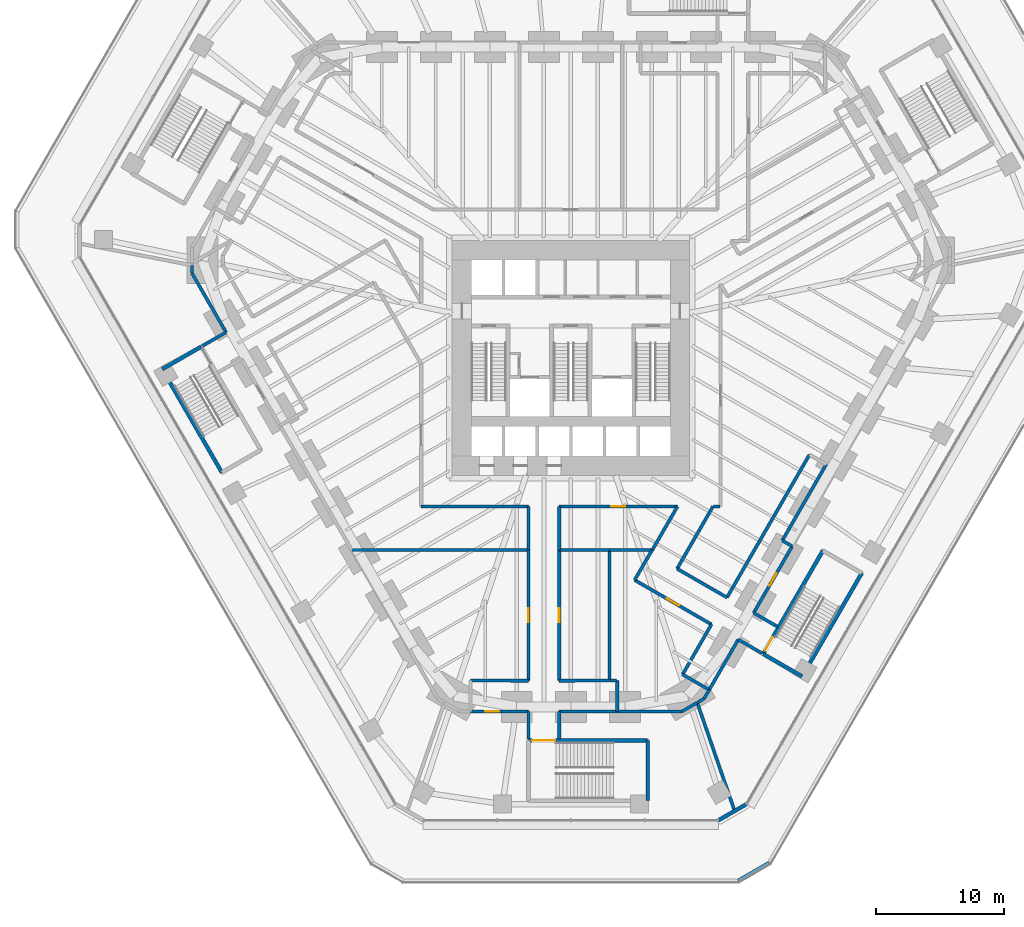
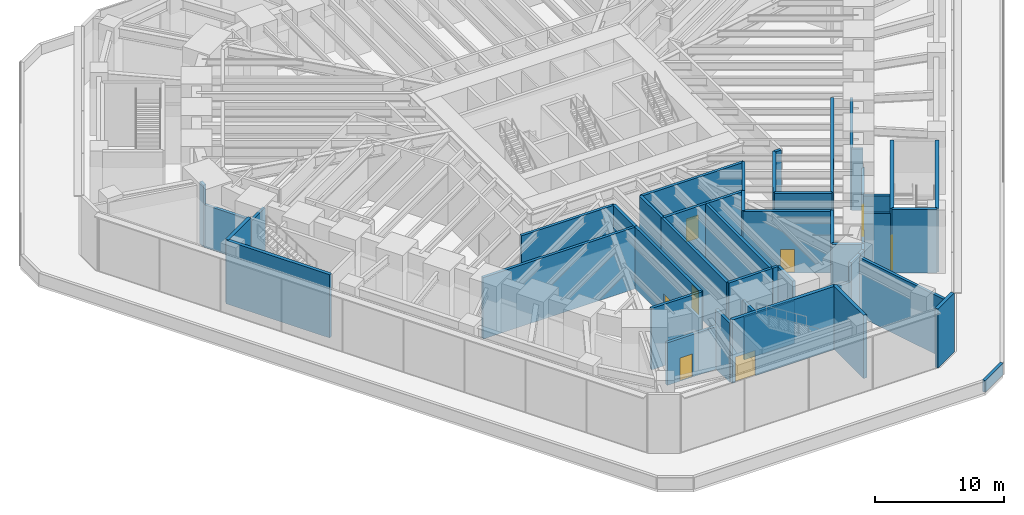
# One storey, part 14 of 24: 50 walls, 8 doors, 8 openings.
"""IFC4 building model written with IfcOpenShell, lengths in metres."""

from ifc_helpers import new_model, si_unit, direction, frame, frame_2d, origin, place, context, subcontext, project, spatial, rectangle, extrude, material, layer, layer_set, type_object, element, fill, save


model = new_model("IFC4")

# Units and contexts
model_context = context("Model", 3, precision=1e-05, world=origin(), true_north=direction((0.0, 1.0)))
body_context = subcontext(model_context, "Body", "Model", "MODEL_VIEW")
ifc_project = project(units=[si_unit("LENGTHUNIT", "METRE"), si_unit("AREAUNIT", "SQUARE_METRE"), si_unit("VOLUMEUNIT", "CUBIC_METRE"), si_unit("PLANEANGLEUNIT", "RADIAN"), si_unit("MASSUNIT", "GRAM", prefix="KILO")], contexts=[model_context])

# Site, building, storey
site_placement = place(None, origin())
site = spatial("IfcSite", under=ifc_project, at=site_placement, CompositionType="ELEMENT")
building_placement = place(site_placement, origin())
building = spatial("IfcBuilding", under=site, at=building_placement, Name="Sandreach Pilgrim Tower", CompositionType="ELEMENT")
storey_placement = place(building_placement, frame((0.0, 0.0, 12.0)))
storey = spatial("IfcBuildingStorey", under=building, at=storey_placement, Name="L02", CompositionType="ELEMENT", Elevation=12.0)

# Walls
ifc_material_1 = material(Name="Acoustic gypsum board wall, double frame", Category="gypsum")
ifc_layer_1 = layer(ifc_material_1, 0.25)
ifc_layer_set_1 = layer_set([ifc_layer_1], Name="Hall partition 250")
wall_type_1 = type_object("IfcWallType", Name="Hall partition 250", PredefinedType="PARTITIONING", material=ifc_layer_set_1)
wall_1_placement = place(storey_placement, frame((-29.5400390625, 5.06005859375, 0.0), z_axis=(0.0, 0.0, 1.0), x_axis=(0.499789957473, -0.866146637937, 0.0)))
element("IfcWall", 1, at=wall_1_placement, inside=storey, type_object=wall_type_1, Name="Hall partition L02-002", PredefinedType="PARTITIONING", context=body_context, shape_type="SweptSolid", body=[
    extrude(rectangle(XDim=5.322509765625, YDim=0.25, at=frame_2d((2.6611328125, 0.0))), origin(), (0.0, 0.0, 1.0), 4.0400390625),
])
wall_2_placement = place(storey_placement, frame((-29.5400390625, 5.64501953125, 0.0), z_axis=(0.0, 0.0, 1.0), x_axis=(0.0, -1.0, 0.0)))
element("IfcWall", 2, at=wall_2_placement, inside=storey, type_object=wall_type_1, Name="Hall partition L02-003", PredefinedType="PARTITIONING", context=body_context, shape_type="SweptSolid", body=[
    extrude(rectangle(XDim=0.5849609375, YDim=0.25, at=frame_2d((0.29248046875, 0.0))), origin(), (0.0, 0.0, 1.0), 5.840087890625),
])
wall_3_placement = place(storey_placement, frame((-26.8798828125, 0.449951171875, 0.0), z_axis=(0.0, 0.0, 1.0), x_axis=(-0.866853445344, -0.49856303944, 0.0)))
element("IfcWall", 3, at=wall_3_placement, inside=storey, type_object=wall_type_1, Name="Hall partition L02-010", PredefinedType="PARTITIONING", context=body_context, shape_type="SweptSolid", body=[
    extrude(rectangle(XDim=2.145751953125, YDim=0.25, at=frame_2d((1.07275390625, 0.0))), origin(), (0.0, 0.0, 1.0), 5.60009765625),
])
wall_4_placement = place(storey_placement, frame((-11.669921875, -13.1201171875, 0.0), z_axis=(0.0, 0.0, 1.0), x_axis=(1.0, 0.0, 0.0)))
element("IfcWall", 4, at=wall_4_placement, inside=storey, type_object=wall_type_1, Name="Hall partition L02-036", PredefinedType="PARTITIONING", context=body_context, shape_type="SweptSolid", body=[
    extrude(rectangle(XDim=8.35986328125, YDim=0.25, at=frame_2d((4.179931640625, 0.0))), origin(), (0.0, 0.0, 1.0), 5.840087890625),
])

# Wall, opening, door
wall_5_placement = place(storey_placement, frame((-7.830078125, -29.110107421875, 0.0), z_axis=(0.0, 0.0, 1.0), x_axis=(1.0, 0.0, 0.0)))
wall_5 = element("IfcWall", 5, at=wall_5_placement, inside=storey, type_object=wall_type_1, Name="Hall partition L02-045", PredefinedType="PARTITIONING", context=body_context, shape_type="SweptSolid", body=[
    extrude(rectangle(XDim=4.52001953125, YDim=0.25, at=frame_2d((2.260009765625, 0.0))), origin(), (0.0, 0.0, 1.0), 4.0400390625),
])
opening_1_placement = place(wall_5_placement, frame((1.159912109375, 0.0, 0.0)))
opening_1 = element("IfcOpeningElement", 6, at=opening_1_placement, cuts=wall_5, Name="Opening D11H-04", PredefinedType="OPENING", context=body_context, shape_type="SweptSolid", body=[
    extrude(rectangle(XDim=1.10009765625, YDim=2.199951171875, at=frame_2d((0.550048828125, 1.10009765625))), frame((0.0, 0.125, 0.0), z_axis=(0.0, -1.0, 0.0), x_axis=(1.0, 0.0, 0.0)), (0.0, 0.0, 1.0), 0.25),
])
ifc_material_2 = material(Name="Steel door and frame", Category="steel")
door_type_1 = type_object("IfcDoorType", Name="Back of house door", OperationType="SINGLE_SWING_LEFT", PredefinedType="DOOR", material=ifc_material_2)
door_1_placement = place(opening_1_placement, origin())
door_1 = element("IfcDoor", 7, at=door_1_placement, inside=storey, type_object=door_type_1, Name="Door 0204", OperationType="SINGLE_SWING_LEFT", OverallHeight=2.199951171875, OverallWidth=1.10009765625, PredefinedType="DOOR", context=body_context, shape_type="SweptSolid", body=[
    extrude(rectangle(XDim=1.10009765625, YDim=2.199951171875, at=frame_2d((0.550048828125, 1.10009765625))), frame((0.0, 0.02490234375, 0.0), z_axis=(0.0, -1.0, 0.0), x_axis=(1.0, 0.0, 0.0)), (0.0, 0.0, 1.0), 0.050048828125),
])
fill(opening_1, door_1)

# Walls
wall_6_placement = place(storey_placement, frame((-7.830078125, -26.68994140625, 0.0), z_axis=(0.0, 0.0, 1.0), x_axis=(0.999990191766, -0.004429037254, 0.0)))
element("IfcWall", 8, at=wall_6_placement, inside=storey, type_object=wall_type_1, Name="Hall partition L02-046", PredefinedType="PARTITIONING", context=body_context, shape_type="SweptSolid", body=[
    extrude(rectangle(XDim=4.52001953125, YDim=0.25, at=frame_2d((2.260009765625, 0.0))), origin(), (0.0, 0.0, 1.0), 5.840087890625),
])
wall_7_placement = place(storey_placement, frame((-3.330078125, -16.52001953125, 0.0), z_axis=(0.0, 0.0, 1.0), x_axis=(-1.0, 0.0, 0.0)))
element("IfcWall", 9, at=wall_7_placement, inside=storey, type_object=wall_type_1, Name="Hall partition L02-050", PredefinedType="PARTITIONING", context=body_context, shape_type="SweptSolid", body=[
    extrude(rectangle(XDim=13.75, YDim=0.25, at=frame_2d((6.875, 0.0))), origin(), (0.0, 0.0, 1.0), 5.840087890625),
])
wall_8_placement = place(storey_placement, frame((-3.31005859375, -29.110107421875, 0.0), z_axis=(0.0, 0.0, 1.0), x_axis=(0.0, -1.0, 0.0)))
element("IfcWall", 10, at=wall_8_placement, inside=storey, type_object=wall_type_1, Name="Hall partition L02-051", PredefinedType="PARTITIONING", context=body_context, shape_type="SweptSolid", body=[
    extrude(rectangle(XDim=2.14990234375, YDim=0.25, at=frame_2d((1.074951171875, 0.0))), origin(), (0.0, 0.0, 1.0), 5.60009765625),
])

# Wall, opening, door
wall_9_placement = place(storey_placement, frame((-3.31005859375, -16.52001953125, 0.0), z_axis=(0.0, 0.0, 1.0), x_axis=(0.0, -1.0, 0.0)))
wall_9 = element("IfcWall", 11, at=wall_9_placement, inside=storey, type_object=wall_type_1, Name="Hall partition L02-052", PredefinedType="PARTITIONING", context=body_context, shape_type="SweptSolid", body=[
    extrude(rectangle(XDim=10.18994140625, YDim=0.25, at=frame_2d((5.094970703125, 0.0))), origin(), (0.0, 0.0, 1.0), 5.840087890625),
])
opening_2_placement = place(wall_9_placement, frame((4.544921875, 0.0, 0.0)))
opening_2 = element("IfcOpeningElement", 12, at=opening_2_placement, cuts=wall_9, Name="Opening D11H-T1", PredefinedType="OPENING", context=body_context, shape_type="SweptSolid", body=[
    extrude(rectangle(XDim=1.10009765625, YDim=2.199951171875, at=frame_2d((0.550048828125, 1.10009765625))), frame((0.0, 0.125, 0.0), z_axis=(0.0, -1.0, 0.0), x_axis=(1.0, 0.0, 0.0)), (0.0, 0.0, 1.0), 0.25),
])
door_2_placement = place(opening_2_placement, origin())
door_2 = element("IfcDoor", 13, at=door_2_placement, inside=storey, type_object=door_type_1, Name="Door 02T1", OperationType="SINGLE_SWING_LEFT", OverallHeight=2.199951171875, OverallWidth=1.10009765625, PredefinedType="DOOR", context=body_context, shape_type="SweptSolid", body=[
    extrude(rectangle(XDim=1.10009765625, YDim=2.199951171875, at=frame_2d((0.550048828125, 1.10009765625))), frame((0.0, 0.02490234375, 0.0), z_axis=(0.0, -1.0, 0.0), x_axis=(1.0, 0.0, 0.0)), (0.0, 0.0, 1.0), 0.050048828125),
])
fill(opening_2, door_2)

# Walls
wall_10_placement = place(storey_placement, frame((-3.31005859375, -13.1201171875, 0.0), z_axis=(0.0, 0.0, 1.0), x_axis=(0.0, -1.0, 0.0)))
element("IfcWall", 14, at=wall_10_placement, inside=storey, type_object=wall_type_1, Name="Hall partition L02-053", PredefinedType="PARTITIONING", context=body_context, shape_type="SweptSolid", body=[
    extrude(rectangle(XDim=3.39990234375, YDim=0.25, at=frame_2d((1.699951171875, 0.0))), origin(), (0.0, 0.0, 1.0), 5.840087890625),
])
wall_11_placement = place(storey_placement, frame((-0.909912109375, -31.260009765625, 0.0), z_axis=(0.0, 0.0, 1.0), x_axis=(0.0, 1.0, 0.0)))
element("IfcWall", 15, at=wall_11_placement, inside=storey, type_object=wall_type_1, Name="Hall partition L02-054", PredefinedType="PARTITIONING", context=body_context, shape_type="SweptSolid", body=[
    extrude(rectangle(XDim=2.14990234375, YDim=0.25, at=frame_2d((1.074951171875, 0.0))), origin(), (0.0, 0.0, 1.0), 5.60009765625),
])
wall_12_placement = place(storey_placement, frame((-0.909912109375, -29.110107421875, 0.0), z_axis=(0.0, 0.0, 1.0), x_axis=(1.0, 0.0, 0.0)))
element("IfcWall", 16, at=wall_12_placement, inside=storey, type_object=wall_type_1, Name="Hall partition L02-055", PredefinedType="PARTITIONING", context=body_context, shape_type="SweptSolid", body=[
    extrude(rectangle(XDim=4.52001953125, YDim=0.25, at=frame_2d((2.260009765625, 0.0))), origin(), (0.0, 0.0, 1.0), 4.0400390625),
])

# Wall, opening, door
wall_13_placement = place(storey_placement, frame((-0.909912109375, -26.7099609375, 0.0), z_axis=(0.0, 0.0, 1.0), x_axis=(0.0, 1.0, 0.0)))
wall_13 = element("IfcWall", 17, at=wall_13_placement, inside=storey, type_object=wall_type_1, Name="Hall partition L02-056", PredefinedType="PARTITIONING", context=body_context, shape_type="SweptSolid", body=[
    extrude(rectangle(XDim=10.18994140625, YDim=0.25, at=frame_2d((5.094970703125, 0.0))), origin(), (0.0, 0.0, 1.0), 5.840087890625),
])
opening_3_placement = place(wall_13_placement, frame((4.544921875, 0.0, 0.0)))
opening_3 = element("IfcOpeningElement", 18, at=opening_3_placement, cuts=wall_13, Name="Opening D11H-T2", PredefinedType="OPENING", context=body_context, shape_type="SweptSolid", body=[
    extrude(rectangle(XDim=1.10009765625, YDim=2.199951171875, at=frame_2d((0.550048828125, 1.10009765625))), frame((0.0, 0.125, 0.0), z_axis=(0.0, -1.0, 0.0), x_axis=(1.0, 0.0, 0.0)), (0.0, 0.0, 1.0), 0.25),
])
door_3_placement = place(opening_3_placement, origin())
door_3 = element("IfcDoor", 19, at=door_3_placement, inside=storey, type_object=door_type_1, Name="Door 02T2", OperationType="SINGLE_SWING_LEFT", OverallHeight=2.199951171875, OverallWidth=1.10009765625, PredefinedType="DOOR", context=body_context, shape_type="SweptSolid", body=[
    extrude(rectangle(XDim=1.10009765625, YDim=2.199951171875, at=frame_2d((0.550048828125, 1.10009765625))), frame((0.0, 0.02490234375, 0.0), z_axis=(0.0, -1.0, 0.0), x_axis=(1.0, 0.0, 0.0)), (0.0, 0.0, 1.0), 0.050048828125),
])
fill(opening_3, door_3)

# Walls
wall_14_placement = place(storey_placement, frame((-0.909912109375, -26.7099609375, 0.0), z_axis=(0.0, 0.0, 1.0), x_axis=(0.999986892035, 0.005120132697, 0.0)))
element("IfcWall", 20, at=wall_14_placement, inside=storey, type_object=wall_type_1, Name="Hall partition L02-057", PredefinedType="PARTITIONING", context=body_context, shape_type="SweptSolid", body=[
    extrude(rectangle(XDim=3.909912109375, YDim=0.25, at=frame_2d((1.955078125, 0.0))), origin(), (0.0, 0.0, 1.0), 5.840087890625),
])
wall_15_placement = place(storey_placement, frame((-0.909912109375, -16.52001953125, 0.0), z_axis=(0.0, 0.0, 1.0), x_axis=(0.0, 1.0, 0.0)))
element("IfcWall", 21, at=wall_15_placement, inside=storey, type_object=wall_type_1, Name="Hall partition L02-058", PredefinedType="PARTITIONING", context=body_context, shape_type="SweptSolid", body=[
    extrude(rectangle(XDim=3.39990234375, YDim=0.25, at=frame_2d((1.699951171875, 0.0))), origin(), (0.0, 0.0, 1.0), 5.840087890625),
])

# Wall, opening, door
wall_16_placement = place(storey_placement, frame((-0.909912109375, -13.1201171875, 0.0), z_axis=(0.0, 0.0, 1.0), x_axis=(1.0, 0.0, 0.0)))
wall_16 = element("IfcWall", 22, at=wall_16_placement, inside=storey, type_object=wall_type_1, Name="Hall partition L02-059", PredefinedType="PARTITIONING", context=body_context, shape_type="SweptSolid", body=[
    extrude(rectangle(XDim=9.219970703125, YDim=0.25, at=frame_2d((4.60986328125, 0.0))), origin(), (0.0, 0.0, 1.0), 5.840087890625),
])
opening_4_placement = place(wall_16_placement, frame((4.06005859375, 0.0, 0.0)))
opening_4 = element("IfcOpeningElement", 23, at=opening_4_placement, cuts=wall_16, Name="Opening D11H-B5", PredefinedType="OPENING", context=body_context, shape_type="SweptSolid", body=[
    extrude(rectangle(XDim=1.10009765625, YDim=2.199951171875, at=frame_2d((0.550048828125, 1.10009765625))), frame((0.0, 0.125, 0.0), z_axis=(0.0, -1.0, 0.0), x_axis=(1.0, 0.0, 0.0)), (0.0, 0.0, 1.0), 0.25),
])
door_4_placement = place(opening_4_placement, origin())
door_4 = element("IfcDoor", 24, at=door_4_placement, inside=storey, type_object=door_type_1, Name="Door 02B5", OperationType="SINGLE_SWING_LEFT", OverallHeight=2.199951171875, OverallWidth=1.10009765625, PredefinedType="DOOR", context=body_context, shape_type="SweptSolid", body=[
    extrude(rectangle(XDim=1.10009765625, YDim=2.199951171875, at=frame_2d((0.550048828125, 1.10009765625))), frame((0.0, 0.02490234375, 0.0), z_axis=(0.0, -1.0, 0.0), x_axis=(1.0, 0.0, 0.0)), (0.0, 0.0, 1.0), 0.050048828125),
])
fill(opening_4, door_4)

# Walls
wall_17_placement = place(storey_placement, frame((3.0, -16.52001953125, 0.0), z_axis=(0.0, 0.0, 1.0), x_axis=(-1.0, 0.0, 0.0)))
element("IfcWall", 25, at=wall_17_placement, inside=storey, type_object=wall_type_1, Name="Hall partition L02-060", PredefinedType="PARTITIONING", context=body_context, shape_type="SweptSolid", body=[
    extrude(rectangle(XDim=3.889892578125, YDim=0.25, at=frame_2d((1.94482421875, 0.0))), origin(), (0.0, 0.0, 1.0), 5.840087890625),
])
wall_18_placement = place(storey_placement, frame((3.0, -16.52001953125, 0.0), z_axis=(0.0, 0.0, 1.0), x_axis=(0.0, -1.0, 0.0)))
element("IfcWall", 26, at=wall_18_placement, inside=storey, type_object=wall_type_1, Name="Hall partition L02-061", PredefinedType="PARTITIONING", context=body_context, shape_type="SweptSolid", body=[
    extrude(rectangle(XDim=10.169921875, YDim=0.25, at=frame_2d((5.0849609375, 0.0))), origin(), (0.0, 0.0, 1.0), 5.840087890625),
])
wall_19_placement = place(storey_placement, frame((3.034912109375, -26.68994140625, 0.0), z_axis=(0.0, 0.0, 1.0), x_axis=(1.0, 0.0, 0.0)))
element("IfcWall", 27, at=wall_19_placement, inside=storey, type_object=wall_type_1, Name="Hall partition L02-062", PredefinedType="PARTITIONING", context=body_context, shape_type="SweptSolid", body=[
    extrude(rectangle(XDim=0.53515625, YDim=0.25, at=frame_2d((0.267578125, 0.0))), origin(), (0.0, 0.0, 1.0), 5.840087890625),
])
wall_20_placement = place(storey_placement, frame((3.610107421875, -29.110107421875, 0.0), z_axis=(0.0, 0.0, 1.0), x_axis=(1.0, 0.0, 0.0)))
element("IfcWall", 28, at=wall_20_placement, inside=storey, type_object=wall_type_1, Name="Hall partition L02-063", PredefinedType="PARTITIONING", context=body_context, shape_type="SweptSolid", body=[
    extrude(rectangle(XDim=5.039794921875, YDim=0.25, at=frame_2d((2.52001953125, 0.0))), origin(), (0.0, 0.0, 1.0), 4.0400390625),
])
wall_21_placement = place(storey_placement, frame((3.610107421875, -26.7099609375, 0.0), z_axis=(0.0, 0.0, 1.0), x_axis=(0.0, -1.0, 0.0)))
element("IfcWall", 29, at=wall_21_placement, inside=storey, type_object=wall_type_1, Name="Hall partition L02-064", PredefinedType="PARTITIONING", context=body_context, shape_type="SweptSolid", body=[
    extrude(rectangle(XDim=2.400146484375, YDim=0.25, at=frame_2d((1.2001953125, 0.0))), origin(), (0.0, 0.0, 1.0), 5.840087890625),
])
wall_22_placement = place(storey_placement, frame((4.969970703125, -18.860107421875, 0.0), z_axis=(0.0, 0.0, 1.0), x_axis=(0.502507574725, 0.864572806271, 0.0)))
element("IfcWall", 30, at=wall_22_placement, inside=storey, type_object=wall_type_1, Name="Hall partition L02-068", PredefinedType="PARTITIONING", context=body_context, shape_type="SweptSolid", body=[
    extrude(rectangle(XDim=2.70654296875, YDim=0.25, at=frame_2d((1.353271484375, 0.0))), origin(), (0.0, 0.0, 1.0), 5.840087890625),
])
wall_23_placement = place(storey_placement, frame((6.330078125, -16.52001953125, 0.0), z_axis=(0.0, 0.0, 1.0), x_axis=(-1.0, 0.0, 0.0)))
element("IfcWall", 31, at=wall_23_placement, inside=storey, type_object=wall_type_1, Name="Hall partition L02-072", PredefinedType="PARTITIONING", context=body_context, shape_type="SweptSolid", body=[
    extrude(rectangle(XDim=3.330078125, YDim=0.25, at=frame_2d((1.6650390625, 0.0))), origin(), (0.0, 0.0, 1.0), 5.840087890625),
])
wall_24_placement = place(storey_placement, frame((8.280029296875, -17.97998046875, 0.0), z_axis=(0.0, 0.0, 1.0), x_axis=(0.499206132958, 0.866483258244, 0.0)))
element("IfcWall", 32, at=wall_24_placement, inside=storey, type_object=wall_type_1, Name="Hall partition L02-073", PredefinedType="PARTITIONING", context=body_context, shape_type="SweptSolid", body=[
    extrude(rectangle(XDim=5.60888671875, YDim=0.25, at=frame_2d((2.804443359375, 0.0))), origin(), (0.0, 0.0, 1.0), 5.840087890625),
])
wall_25_placement = place(storey_placement, frame((8.31005859375, -13.1201171875, 0.0), z_axis=(0.0, 0.0, 1.0), x_axis=(-0.499589939021, -0.866262023194, 0.0)))
element("IfcWall", 33, at=wall_25_placement, inside=storey, type_object=wall_type_1, Name="Hall partition L02-074", PredefinedType="PARTITIONING", context=body_context, shape_type="SweptSolid", body=[
    extrude(rectangle(XDim=3.934326171875, YDim=0.25, at=frame_2d((1.96728515625, 0.0))), origin(), (0.0, 0.0, 1.0), 5.840087890625),
])
wall_26_placement = place(storey_placement, frame((8.64990234375, -29.110107421875, 0.0), z_axis=(0.0, 0.0, 1.0), x_axis=(0.865736025111, 0.500500883941, 0.0)))
element("IfcWall", 34, at=wall_26_placement, inside=storey, type_object=wall_type_1, Name="Hall partition L02-075", PredefinedType="PARTITIONING", context=body_context, shape_type="SweptSolid", body=[
    extrude(rectangle(XDim=1.38427734375, YDim=0.25, at=frame_2d((0.692138671875, 0.0))), origin(), (0.0, 0.0, 1.0), 5.840087890625),
])
wall_27_placement = place(storey_placement, frame((8.68994140625, -26.2099609375, 0.0), z_axis=(0.0, 0.0, 1.0), x_axis=(0.865442434468, -0.5010083758, 0.0)))
element("IfcWall", 35, at=wall_27_placement, inside=storey, type_object=wall_type_1, Name="Hall partition L02-076", PredefinedType="PARTITIONING", context=body_context, shape_type="SweptSolid", body=[
    extrude(rectangle(XDim=2.4150390625, YDim=0.25, at=frame_2d((1.20751953125, 0.0))), origin(), (0.0, 0.0, 1.0), 5.840087890625),
])
wall_28_placement = place(storey_placement, frame((10.3798828125, -28.110107421875, 0.0), z_axis=(0.0, 0.0, 1.0), x_axis=(-0.865714845822, -0.5005375168, 0.0)))
element("IfcWall", 36, at=wall_28_placement, inside=storey, type_object=wall_type_1, Name="Hall partition L02-077", PredefinedType="PARTITIONING", context=body_context, shape_type="SweptSolid", body=[
    extrude(rectangle(XDim=0.578857421875, YDim=0.25, at=frame_2d((0.28955078125, 0.0))), origin(), (0.0, 0.0, 1.0), 5.840087890625),
])
wall_29_placement = place(storey_placement, frame((10.780029296875, -27.419921875, 0.0), z_axis=(0.0, 0.0, 1.0), x_axis=(0.501133997532, 0.86536969933, 0.0)))
element("IfcWall", 37, at=wall_29_placement, inside=storey, type_object=wall_type_1, Name="Hall partition L02-078", PredefinedType="PARTITIONING", context=body_context, shape_type="SweptSolid", body=[
    extrude(rectangle(XDim=4.52978515625, YDim=0.25, at=frame_2d((2.264892578125, 0.0))), origin(), (0.0, 0.0, 1.0), 4.0400390625),
])
wall_30_placement = place(storey_placement, frame((10.7900390625, -27.419921875, 0.0), z_axis=(0.0, 0.0, 1.0), x_axis=(-0.510777713782, -0.859712816645, 0.0)))
element("IfcWall", 38, at=wall_30_placement, inside=storey, type_object=wall_type_1, Name="Hall partition L02-079", PredefinedType="PARTITIONING", context=body_context, shape_type="SweptSolid", body=[
    extrude(rectangle(XDim=0.802490234375, YDim=0.25, at=frame_2d((0.4013671875, 0.0))), origin(), (0.0, 0.0, 1.0), 5.840087890625),
])

# Wall, opening, door
wall_31_placement = place(storey_placement, frame((10.93994140625, -22.31005859375, 0.0), z_axis=(0.0, 0.0, 1.0), x_axis=(-0.865825192556, 0.500346615794, 0.0)))
wall_31 = element("IfcWall", 39, at=wall_31_placement, inside=storey, type_object=wall_type_1, Name="Hall partition L02-080", PredefinedType="PARTITIONING", context=body_context, shape_type="SweptSolid", body=[
    extrude(rectangle(XDim=6.89501953125, YDim=0.25, at=frame_2d((3.447509765625, 0.0))), origin(), (0.0, 0.0, 1.0), 5.840087890625),
])
opening_5_placement = place(wall_31_placement, frame((2.897705078125, 0.0, 0.0)))
opening_5 = element("IfcOpeningElement", 40, at=opening_5_placement, cuts=wall_31, Name="Opening D11H-T3", PredefinedType="OPENING", context=body_context, shape_type="SweptSolid", body=[
    extrude(rectangle(XDim=1.10009765625, YDim=2.199951171875, at=frame_2d((0.550048828125, 1.10009765625))), frame((0.0, 0.125, 0.0), z_axis=(0.0, -1.0, 0.0), x_axis=(1.0, 0.0, 0.0)), (0.0, 0.0, 1.0), 0.25),
])
door_5_placement = place(opening_5_placement, origin())
door_5 = element("IfcDoor", 41, at=door_5_placement, inside=storey, type_object=door_type_1, Name="Door 02T3", OperationType="SINGLE_SWING_LEFT", OverallHeight=2.199951171875, OverallWidth=1.10009765625, PredefinedType="DOOR", context=body_context, shape_type="SweptSolid", body=[
    extrude(rectangle(XDim=1.10009765625, YDim=2.199951171875, at=frame_2d((0.550048828125, 1.10009765625))), frame((0.0, 0.02490234375, 0.0), z_axis=(0.0, -1.0, 0.0), x_axis=(1.0, 0.0, 0.0)), (0.0, 0.0, 1.0), 0.050048828125),
])
fill(opening_5, door_5)

# Walls
wall_32_placement = place(storey_placement, frame((10.969970703125, -22.300048828125, 0.0), z_axis=(0.0, 0.0, 1.0), x_axis=(-0.499476424687, -0.86632747918, 0.0)))
element("IfcWall", 42, at=wall_32_placement, inside=storey, type_object=wall_type_1, Name="Hall partition L02-081", PredefinedType="PARTITIONING", context=body_context, shape_type="SweptSolid", body=[
    extrude(rectangle(XDim=4.524658203125, YDim=0.25, at=frame_2d((2.26220703125, 0.0))), origin(), (0.0, 0.0, 1.0), 5.840087890625),
])
wall_33_placement = place(storey_placement, frame((11.10009765625, -13.1201171875, 0.0), z_axis=(0.0, 0.0, 1.0), x_axis=(1.0, 0.0, 0.0)))
element("IfcWall", 43, at=wall_33_placement, inside=storey, type_object=wall_type_1, Name="Hall partition L02-082", PredefinedType="PARTITIONING", context=body_context, shape_type="SweptSolid", body=[
    extrude(rectangle(XDim=0.534912109375, YDim=0.25, at=frame_2d((0.267578125, 0.0))), origin(), (0.0, 0.0, 1.0), 5.840087890625),
])
wall_34_placement = place(storey_placement, frame((12.169921875, -20.219970703125, 0.0), z_axis=(0.0, 0.0, 1.0), x_axis=(-0.866588245704, 0.499023859558, 0.0)))
element("IfcWall", 44, at=wall_34_placement, inside=storey, type_object=wall_type_1, Name="Hall partition L02-089", PredefinedType="PARTITIONING", context=body_context, shape_type="SweptSolid", body=[
    extrude(rectangle(XDim=4.48876953125, YDim=0.25, at=frame_2d((2.244384765625, 0.0))), origin(), (0.0, 0.0, 1.0), 5.840087890625),
])
wall_35_placement = place(storey_placement, frame((12.770263671875, -36.881591796875, 0.0), z_axis=(0.0, 0.0, 1.0), x_axis=(-0.32622518394, 0.945292086798, 0.0)))
element("IfcWall", 45, at=wall_35_placement, inside=storey, type_object=wall_type_1, Name="Hall partition L02-092", PredefinedType="PARTITIONING", context=body_context, shape_type="SweptSolid", body=[
    extrude(rectangle(XDim=8.951416015625, YDim=0.25, at=frame_2d((4.4755859375, 0.0))), origin(), (0.0, 0.0, 1.0), 5.60009765625),
])
wall_36_placement = place(storey_placement, frame((13.050048828125, -23.5, 0.0), z_axis=(0.0, 0.0, 1.0), x_axis=(0.864757143013, -0.502190286255, 0.0)))
element("IfcWall", 46, at=wall_36_placement, inside=storey, type_object=wall_type_1, Name="Hall partition L02-093", PredefinedType="PARTITIONING", context=body_context, shape_type="SweptSolid", body=[
    extrude(rectangle(XDim=2.150634765625, YDim=0.25, at=frame_2d((1.0751953125, 0.0))), origin(), (0.0, 0.0, 1.0), 5.60009765625),
])

# Wall, opening, door
wall_37_placement = place(storey_placement, frame((14.25, -21.419921875, 0.0), z_axis=(0.0, 0.0, 1.0), x_axis=(0.50044857655, 0.865766263046, 0.0)))
wall_37 = element("IfcWall", 47, at=wall_37_placement, inside=storey, type_object=wall_type_1, Name="Hall partition L02-099", PredefinedType="PARTITIONING", context=body_context, shape_type="SweptSolid", body=[
    extrude(rectangle(XDim=5.99462890625, YDim=0.25, at=frame_2d((2.997314453125, 0.0))), origin(), (0.0, 0.0, 1.0), 4.0400390625),
])
opening_6_placement = place(wall_37_placement, frame((2.447509765625, 0.0, 0.0)))
opening_6 = element("IfcOpeningElement", 48, at=opening_6_placement, cuts=wall_37, Name="Opening D11H-03", PredefinedType="OPENING", context=body_context, shape_type="SweptSolid", body=[
    extrude(rectangle(XDim=1.10009765625, YDim=2.199951171875, at=frame_2d((0.550048828125, 1.10009765625))), frame((0.0, 0.125, 0.0), z_axis=(0.0, -1.0, 0.0), x_axis=(1.0, 0.0, 0.0)), (0.0, 0.0, 1.0), 0.25),
])
door_6_placement = place(opening_6_placement, origin())
door_6 = element("IfcDoor", 49, at=door_6_placement, inside=storey, type_object=door_type_1, Name="Door 0203", OperationType="SINGLE_SWING_LEFT", OverallHeight=2.199951171875, OverallWidth=1.10009765625, PredefinedType="DOOR", context=body_context, shape_type="SweptSolid", body=[
    extrude(rectangle(XDim=1.10009765625, YDim=2.199951171875, at=frame_2d((0.550048828125, 1.10009765625))), frame((0.0, 0.02490234375, 0.0), z_axis=(0.0, -1.0, 0.0), x_axis=(1.0, 0.0, 0.0)), (0.0, 0.0, 1.0), 0.050048828125),
])
fill(opening_6, door_6)

# Walls
wall_38_placement = place(storey_placement, frame((16.110107421875, -22.5, 0.0), z_axis=(0.0, 0.0, 1.0), x_axis=(-0.864785766719, 0.502140993826, 0.0)))
element("IfcWall", 50, at=wall_38_placement, inside=storey, type_object=wall_type_1, Name="Hall partition L02-100", PredefinedType="PARTITIONING", context=body_context, shape_type="SweptSolid", body=[
    extrude(rectangle(XDim=2.15087890625, YDim=0.25, at=frame_2d((1.075439453125, 0.0))), origin(), (0.0, 0.0, 1.0), 5.60009765625),
])
wall_39_placement = place(storey_placement, frame((16.47998046875, -15.780029296875, 0.0), z_axis=(0.0, 0.0, 1.0), x_axis=(0.500055203419, 0.86599352973, 0.0)))
element("IfcWall", 51, at=wall_39_placement, inside=storey, type_object=wall_type_1, Name="Hall partition L02-101", PredefinedType="PARTITIONING", context=body_context, shape_type="SweptSolid", body=[
    extrude(rectangle(XDim=6.859130859375, YDim=0.25, at=frame_2d((3.4296875, 0.0))), origin(), (0.0, 0.0, 1.0), 5.840087890625),
])
wall_40_placement = place(storey_placement, frame((17.25, -16.22998046875, 0.0), z_axis=(0.0, 0.0, 1.0), x_axis=(-0.863401368682, 0.504517667242, 0.0)))
element("IfcWall", 52, at=wall_40_placement, inside=storey, type_object=wall_type_1, Name="Hall partition L02-102", PredefinedType="PARTITIONING", context=body_context, shape_type="SweptSolid", body=[
    extrude(rectangle(XDim=0.891845703125, YDim=0.25, at=frame_2d((0.44580078125, 0.0))), origin(), (0.0, 0.0, 1.0), 5.840087890625),
])
wall_41_placement = place(storey_placement, frame((18.60009765625, -9.090087890625, 0.0), z_axis=(0.0, 0.0, 1.0), x_axis=(-0.500252915159, -0.8658793339, 0.0)))
element("IfcWall", 53, at=wall_41_placement, inside=storey, type_object=wall_type_1, Name="Hall partition L02-105", PredefinedType="PARTITIONING", context=body_context, shape_type="SweptSolid", body=[
    extrude(rectangle(XDim=12.853759765625, YDim=0.25, at=frame_2d((6.4267578125, 0.0))), origin(), (0.0, 0.0, 1.0), 5.840087890625),
])

# Wall, opening, door
ifc_material_3 = material(Name="Concrete 8000 psi", Category="concrete")
ifc_layer_2 = layer(ifc_material_3, 0.300048828125)
ifc_layer_set_2 = layer_set([ifc_layer_2], Name="Podium stair enclosure 300")
wall_type_2 = type_object("IfcWallType", Name="Podium stair enclosure 300", PredefinedType="SHEAR", material=ifc_layer_set_2)
wall_42_placement = place(storey_placement, frame((-3.311279296875, -31.36083984375, 0.0), z_axis=(0.0, 0.0, 1.0), x_axis=(1.0, 0.0, 0.0)))
wall_42 = element("IfcWall", 54, at=wall_42_placement, inside=storey, type_object=wall_type_2, Name="Stair ST5 enclosure L02 1", PredefinedType="SHEAR", context=body_context, shape_type="SweptSolid", body=[
    extrude(rectangle(XDim=9.300048828125, YDim=0.300048828125, at=frame_2d((4.64990234375, 0.0))), origin(), (0.0, 0.0, 1.0), 6.0),
])
opening_7_placement = place(wall_42_placement, frame((0.300048828125, 0.0, 0.0)))
opening_7 = element("IfcOpeningElement", 55, at=opening_7_placement, cuts=wall_42, Name="Opening D18S-ST5", PredefinedType="OPENING", context=body_context, shape_type="SweptSolid", body=[
    extrude(rectangle(XDim=1.800048828125, YDim=2.39990234375, at=frame_2d((0.89990234375, 1.199951171875))), frame((0.0, 0.14990234375, 0.0), z_axis=(0.0, -1.0, 0.0), x_axis=(1.0, 0.0, 0.0)), (0.0, 0.0, 1.0), 0.300048828125),
])
ifc_material_4 = material(Name="Steel door and frame", Category="steel")
door_type_2 = type_object("IfcDoorType", Name="Podium stair door", OperationType="DOUBLE_DOOR_SINGLE_SWING", PredefinedType="DOOR", material=ifc_material_4)
door_7_placement = place(opening_7_placement, origin())
door_7 = element("IfcDoor", 56, at=door_7_placement, inside=storey, type_object=door_type_2, Name="Stair door ST5 L02", OperationType="DOUBLE_DOOR_SINGLE_SWING", OverallHeight=2.39990234375, OverallWidth=1.800048828125, PredefinedType="DOOR", context=body_context, shape_type="SweptSolid", body=[
    extrude(rectangle(XDim=1.800048828125, YDim=2.39990234375, at=frame_2d((0.89990234375, 1.199951171875))), frame((0.0, 0.02490234375, 0.0), z_axis=(0.0, -1.0, 0.0), x_axis=(1.0, 0.0, 0.0)), (0.0, 0.0, 1.0), 0.050048828125),
])
fill(opening_7, door_7)

# Wall
wall_43_placement = place(storey_placement, frame((5.98876953125, -31.36083984375, 0.0), z_axis=(0.0, 0.0, 1.0), x_axis=(0.0, -1.0, 0.0)))
element("IfcWall", 57, at=wall_43_placement, inside=storey, type_object=wall_type_2, Name="Stair ST5 enclosure L02 2", PredefinedType="SHEAR", context=body_context, shape_type="SweptSolid", body=[
    extrude(rectangle(XDim=4.699951171875, YDim=0.300048828125, at=frame_2d((2.35009765625, 0.0))), origin(), (0.0, 0.0, 1.0), 6.0),
])

# Wall, opening, door
wall_44_placement = place(storey_placement, frame((14.994384765625, -24.626220703125, 0.0), z_axis=(0.0, 0.0, 1.0), x_axis=(0.500015592816, 0.866016401081, 0.0)))
wall_44 = element("IfcWall", 58, at=wall_44_placement, inside=storey, type_object=wall_type_2, Name="Stair ST8 enclosure L02 1", PredefinedType="SHEAR", context=body_context, shape_type="SweptSolid", body=[
    extrude(rectangle(XDim=9.300048828125, YDim=0.300048828125, at=frame_2d((4.64990234375, 0.0))), origin(), (0.0, 0.0, 1.0), 6.0),
])
opening_8_placement = place(wall_44_placement, frame((0.300048828125, 0.0, 0.0)))
opening_8 = element("IfcOpeningElement", 59, at=opening_8_placement, cuts=wall_44, Name="Opening D12S-ST8", PredefinedType="OPENING", context=body_context, shape_type="SweptSolid", body=[
    extrude(rectangle(XDim=1.199951171875, YDim=2.39990234375, at=frame_2d((0.60009765625, 1.199951171875))), frame((0.0, 0.14990234375, 0.0), z_axis=(0.0, -1.0, 0.0), x_axis=(1.0, 0.0, 0.0)), (0.0, 0.0, 1.0), 0.300048828125),
])
ifc_material_5 = material(Name="Steel door and frame", Category="steel")
door_type_3 = type_object("IfcDoorType", Name="Narrow podium stair door", OperationType="SINGLE_SWING_LEFT", PredefinedType="DOOR", material=ifc_material_5)
door_8_placement = place(opening_8_placement, origin())
door_8 = element("IfcDoor", 60, at=door_8_placement, inside=storey, type_object=door_type_3, Name="Stair door ST8 L02", OperationType="SINGLE_SWING_LEFT", OverallHeight=2.39990234375, OverallWidth=1.199951171875, PredefinedType="DOOR", context=body_context, shape_type="SweptSolid", body=[
    extrude(rectangle(XDim=1.199951171875, YDim=2.39990234375, at=frame_2d((0.60009765625, 1.199951171875))), frame((0.0, 0.02490234375, 0.0), z_axis=(0.0, -1.0, 0.0), x_axis=(1.0, 0.0, 0.0)), (0.0, 0.0, 1.0), 0.050048828125),
])
fill(opening_8, door_8)

# Walls
wall_45_placement = place(storey_placement, frame((22.675537109375, -18.322265625, 0.0), z_axis=(0.0, 0.0, 1.0), x_axis=(-0.499995904083, -0.86602776855, 0.0)))
element("IfcWall", 61, at=wall_45_placement, inside=storey, type_object=wall_type_2, Name="Stair ST8 enclosure L02 3", PredefinedType="SHEAR", context=body_context, shape_type="SweptSolid", body=[
    extrude(rectangle(XDim=9.2998046875, YDim=0.300048828125, at=frame_2d((4.64990234375, 0.0))), origin(), (0.0, 0.0, 1.0), 6.0),
])
wall_46_placement = place(storey_placement, frame((18.025634765625, -26.376220703125, 0.0), z_axis=(0.0, 0.0, 1.0), x_axis=(-0.866036909293, 0.499980071345, 0.0)))
element("IfcWall", 62, at=wall_46_placement, inside=storey, type_object=wall_type_2, Name="Stair ST8 enclosure L02 4", PredefinedType="SHEAR", context=body_context, shape_type="SweptSolid", body=[
    extrude(rectangle(XDim=3.500244140625, YDim=0.300048828125, at=frame_2d((1.75, 0.0))), origin(), (0.0, 0.0, 1.0), 6.0),
])
wall_47_placement = place(storey_placement, frame((-27.205322265625, -10.4765625, 0.0), z_axis=(0.0, 0.0, 1.0), x_axis=(-0.499984536904, 0.866034331223, 0.0)))
element("IfcWall", 63, at=wall_47_placement, inside=storey, type_object=wall_type_2, Name="Stair ST9 enclosure L02 3", PredefinedType="SHEAR", context=body_context, shape_type="SweptSolid", body=[
    extrude(rectangle(XDim=9.300048828125, YDim=0.300048828125, at=frame_2d((4.64990234375, 0.0))), origin(), (0.0, 0.0, 1.0), 6.0),
])
wall_48_placement = place(storey_placement, frame((-31.855224609375, -2.42236328125, 0.0), z_axis=(0.0, 0.0, 1.0), x_axis=(0.866019471182, 0.500010275428, 0.0)))
element("IfcWall", 64, at=wall_48_placement, inside=storey, type_object=wall_type_2, Name="Stair ST9 enclosure L02 4", PredefinedType="SHEAR", context=body_context, shape_type="SweptSolid", body=[
    extrude(rectangle(XDim=3.5, YDim=0.300048828125, at=frame_2d((1.75, 0.0))), origin(), (0.0, 0.0, 1.0), 6.0),
])
ifc_material_6 = material(Name="Concrete parapet with terracotta coping", Category="masonry")
ifc_layer_3 = layer(ifc_material_6, 0.25)
ifc_layer_set_3 = layer_set([ifc_layer_3], Name="Setback parapet")
wall_type_3 = type_object("IfcWallType", Name="Setback parapet", PredefinedType="PARAPET", material=ifc_layer_set_3)
wall_49_placement = place(storey_placement, frame((13.039306640625, -42.2919921875, 0.0), z_axis=(0.0, 0.0, 1.0), x_axis=(0.865701662064, 0.500560318344, 0.0)))
element("IfcWall", 65, at=wall_49_placement, inside=storey, type_object=wall_type_3, Name="Setback parapet L02 7", PredefinedType="PARAPET", context=body_context, shape_type="SweptSolid", body=[
    extrude(rectangle(XDim=2.790771484375, YDim=0.25, at=frame_2d((1.3955078125, 0.0))), origin(), (0.0, 0.0, 1.0), 1.10009765625),
])
ifc_material_7 = material(Name="Terracotta rainscreen on concrete", Category="masonry")
ifc_layer_4 = layer(ifc_material_7, 0.300048828125)
ifc_layer_set_4 = layer_set([ifc_layer_4], Name="Terracotta chamfer pier")
wall_type_4 = type_object("IfcWallType", Name="Terracotta chamfer pier", PredefinedType="SOLIDWALL", material=ifc_layer_set_4)
wall_50_placement = place(storey_placement, frame((13.673583984375, -36.338623046875, 0.0), z_axis=(0.0, 0.0, 1.0), x_axis=(-0.866047370643, -0.499961950354, 0.0)))
element("IfcWall", 66, at=wall_50_placement, inside=storey, type_object=wall_type_4, Name="Chamfer pier L02 SE", PredefinedType="SOLIDWALL", context=body_context, shape_type="SweptSolid", body=[
    extrude(rectangle(XDim=2.500244140625, YDim=0.300048828125, at=frame_2d((1.25, 0.0))), origin(), (0.0, 0.0, 1.0), 5.60009765625),
])

save(model, "model.ifc")
